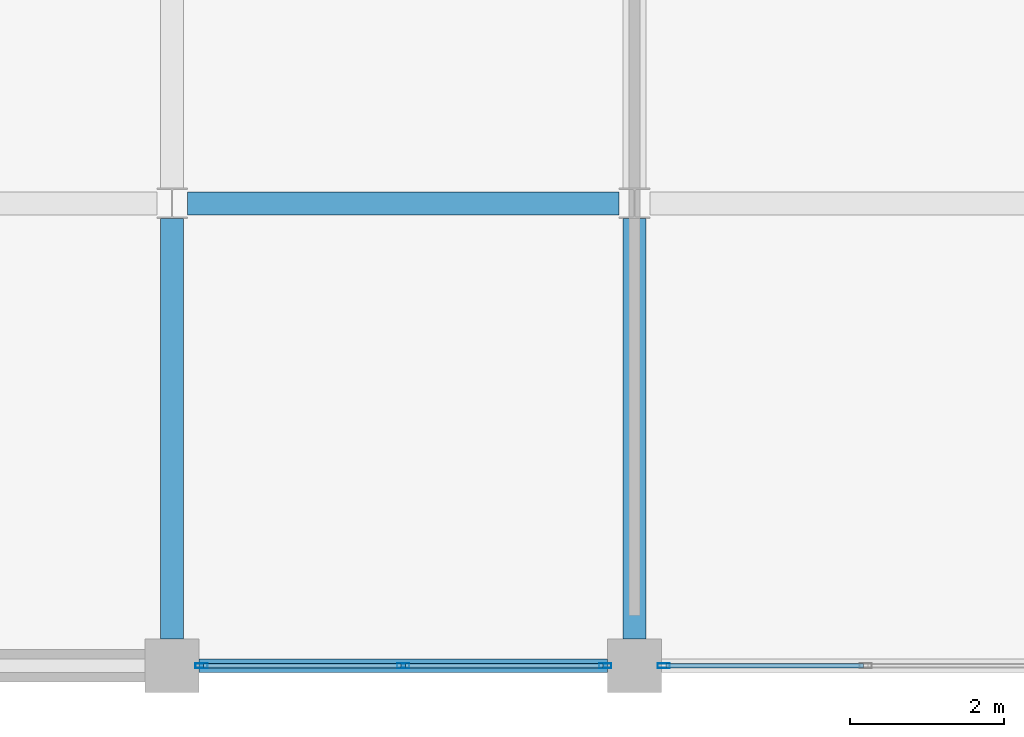
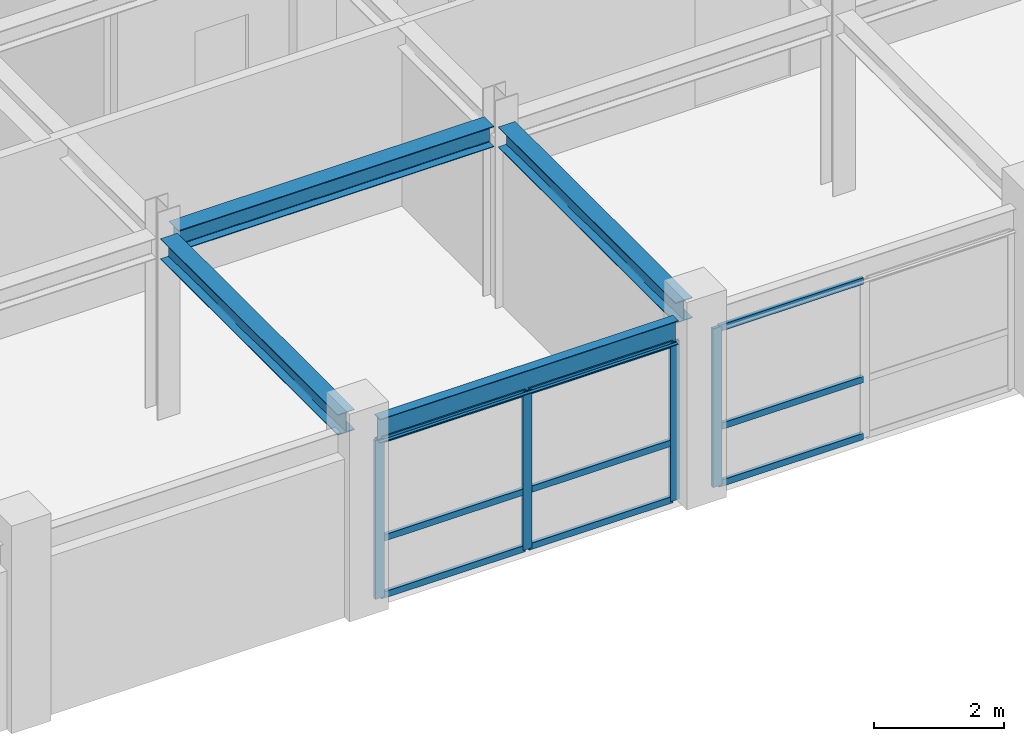
# One storey, part 4 of 12: 13 members, 4 beams, 2 elements without a shape of their own.
"""IFC4 building model written with IfcOpenShell, lengths in metres."""

from ifc_helpers import new_model, si_unit, direction, frame, origin, origin_2d, place, context, subcontext, project, spatial, hollow_rectangle, i_section, extrude, material, layer, layer_set, material_profile, profile_set, type_object, element, aggregate, save


model = new_model("IFC4")

# Units and contexts
model_context = context("Model", 3, precision=1e-05, world=origin(), true_north=direction((0.0, 1.0)))
body_context = subcontext(model_context, "Body", "Model", "MODEL_VIEW")
ifc_project = project(units=[si_unit("LENGTHUNIT", "METRE"), si_unit("AREAUNIT", "SQUARE_METRE"), si_unit("VOLUMEUNIT", "CUBIC_METRE"), si_unit("PLANEANGLEUNIT", "RADIAN"), si_unit("MASSUNIT", "GRAM", prefix="KILO")], contexts=[model_context])

# Site, building, storey
site_placement = place(None, origin())
site = spatial("IfcSite", under=ifc_project, at=site_placement, CompositionType="ELEMENT")
building_placement = place(site_placement, origin())
building = spatial("IfcBuilding", under=site, at=building_placement, Name="Zlatovratsky Civic Hall", CompositionType="ELEMENT")
storey_placement = place(building_placement, frame((0.0, 0.0, 32.699951171875)))
storey = spatial("IfcBuildingStorey", under=building, at=storey_placement, Name="L08", CompositionType="ELEMENT", Elevation=32.699951171875)

# Beams
ifc_material_1 = material(Name="Steel S355", Category="steel")
ifc_material_profile_1 = material_profile(ifc_material_1, i_section(OverallWidth=0.169921875, OverallDepth=0.446044921875, WebThickness=0.007568359375, FlangeThickness=0.010986328125, FilletRadius=0.01611328125, at=origin_2d()), Name="45B1")
ifc_profile_set_1 = profile_set([ifc_material_profile_1], Name="Steel S355")
beam_type_1 = type_object("IfcBeamType", Name="Beam_Spandrel_45B1", PredefinedType="SPANDREL", material=ifc_profile_set_1)
beam_1_placement = place(storey_placement, frame((78.35009765625, 72.0, 3.177001953125), z_axis=(1.0, 0.0, 0.0), x_axis=(0.0, 1.0, 0.0)))
element("IfcBeam", 1, at=beam_1_placement, inside=storey, type_object=beam_type_1, Name="BM-4385", PredefinedType="SPANDREL", context=body_context, shape_type="SweptSolid", body=[
    extrude(i_section(OverallWidth=0.169921875, OverallDepth=0.446044921875, WebThickness=0.007568359375, FlangeThickness=0.010986328125, FilletRadius=0.01611328125, at=origin_2d()), origin(), (0.0, 0.0, 1.0), 5.2998046875),
])
ifc_material_profile_2 = material_profile(ifc_material_1, i_section(OverallWidth=0.300048828125, OverallDepth=0.387939453125, WebThickness=0.009521484375, FlangeThickness=0.013916015625, FilletRadius=0.02197265625, at=origin_2d()), Name="40Sh1")
ifc_profile_set_2 = profile_set([ifc_material_profile_2], Name="Steel S355")
beam_type_2 = type_object("IfcBeamType", Name="Beam_TowerMid_40Sh1", PredefinedType="BEAM", material=ifc_profile_set_2)
beam_2_placement = place(storey_placement, frame((78.198974609375, 78.0, 3.2060546875), z_axis=(1.0, 0.0, 0.0), x_axis=(0.0, 1.0, 0.0)))
element("IfcBeam", 2, at=beam_2_placement, inside=storey, type_object=beam_type_2, Name="BM-4395", PredefinedType="BEAM", context=body_context, shape_type="SweptSolid", body=[
    extrude(i_section(OverallWidth=0.300048828125, OverallDepth=0.387939453125, WebThickness=0.009521484375, FlangeThickness=0.013916015625, FilletRadius=0.02197265625, at=origin_2d()), origin(), (0.0, 0.0, 1.0), 5.60205078125),
])
for number, where, z_axis, x_axis, name in (
    (3, (78.0, 72.35009765625, 3.2060546875), (0.0, 1.0, 0.0), (-1.0, 0.0, 0.0), "BM-4473"),
    (4, (84.0, 72.35009765625, 3.2060546875), (0.0, 1.0, 0.0), (-1.0, 0.0, 0.0), "BM-4479"),
):
    element("IfcBeam", number, at=place(storey_placement, frame(where, z_axis=z_axis, x_axis=x_axis)), inside=storey, type_object=beam_type_2, Name=name, PredefinedType="BEAM", context=body_context, shape_type="SweptSolid", body=[
        extrude(i_section(OverallWidth=0.300048828125, OverallDepth=0.387939453125, WebThickness=0.009521484375, FlangeThickness=0.013916015625, FilletRadius=0.02197265625, at=origin_2d()), origin(), (0.0, 0.0, 1.0), 5.452880859375),
    ])

# Curtain wall, members
ifc_material_2 = material(Name="Anodised bronze aluminium", Category="aluminium")
ifc_layer = layer(ifc_material_2, 0.159912109375)
ifc_layer_set = layer_set([ifc_layer], Name="Anodised bronze aluminium")
curtain_wall_type = type_object("IfcCurtainWallType", Name="CurtainWall_Bronze_5300x2980_22", PredefinedType="NOTDEFINED", material=ifc_layer_set)
curtain_wall_1_placement = place(storey_placement, origin())
curtain_wall_1 = element("IfcCurtainWall", 5, at=curtain_wall_1_placement, inside=storey, type_object=curtain_wall_type, Name="CW-141", PredefinedType="NOTDEFINED")
ifc_material_profile_3 = material_profile(ifc_material_2, hollow_rectangle(XDim=0.06005859375, YDim=0.159912109375, WallThickness=0.00390625, at=origin_2d()), Name="ALU 60x160x4")
ifc_profile_set_3 = profile_set([ifc_material_profile_3], Name="Anodised bronze aluminium")
member_type_1 = type_object("IfcMemberType", Name="CW_Mullion_60x160", PredefinedType="MULLION", material=ifc_profile_set_3)
member_1_placement = place(storey_placement, frame((78.3798828125, 72.0, 0.0), z_axis=(0.0, 0.0, 1.0), x_axis=(0.0, 1.0, 0.0)))
member_1 = element("IfcMember", 6, at=member_1_placement, type_object=member_type_1, Name="CW-22 mullion 1", PredefinedType="MULLION", context=body_context, shape_type="SweptSolid", body=[
    extrude(hollow_rectangle(XDim=0.06005859375, YDim=0.159912109375, WallThickness=0.00390625, at=origin_2d()), origin(), (0.0, 0.0, 1.0), 2.97998046875),
])
member_2_placement = place(storey_placement, frame((81.0, 72.0, 0.0), z_axis=(0.0, 0.0, 1.0), x_axis=(0.0, 1.0, 0.0)))
member_2 = element("IfcMember", 7, at=member_2_placement, type_object=member_type_1, Name="CW-22 mullion 2", PredefinedType="MULLION", context=body_context, shape_type="SweptSolid", body=[
    extrude(hollow_rectangle(XDim=0.06005859375, YDim=0.159912109375, WallThickness=0.00390625, at=origin_2d()), origin(), (0.0, 0.0, 1.0), 2.97998046875),
])
member_3_placement = place(storey_placement, frame((83.6201171875, 72.0, 0.0), z_axis=(0.0, 0.0, 1.0), x_axis=(0.0, 1.0, 0.0)))
member_3 = element("IfcMember", 8, at=member_3_placement, type_object=member_type_1, Name="CW-22 mullion 3", PredefinedType="MULLION", context=body_context, shape_type="SweptSolid", body=[
    extrude(hollow_rectangle(XDim=0.06005859375, YDim=0.159912109375, WallThickness=0.00390625, at=origin_2d()), origin(), (0.0, 0.0, 1.0), 2.97998046875),
])

# Curtain wall, member
curtain_wall_2_placement = place(storey_placement, origin())
curtain_wall_2 = element("IfcCurtainWall", 9, at=curtain_wall_2_placement, inside=storey, type_object=curtain_wall_type, Name="CW-142", PredefinedType="NOTDEFINED")
member_4_placement = place(storey_placement, frame((84.3798828125, 72.0, 0.0), z_axis=(0.0, 0.0, 1.0), x_axis=(0.0, 1.0, 0.0)))
member_4 = element("IfcMember", 10, at=member_4_placement, type_object=member_type_1, Name="CW-22 mullion 1", PredefinedType="MULLION", context=body_context, shape_type="SweptSolid", body=[
    extrude(hollow_rectangle(XDim=0.06005859375, YDim=0.159912109375, WallThickness=0.00390625, at=origin_2d()), origin(), (0.0, 0.0, 1.0), 2.97998046875),
])

# Member
ifc_material_profile_4 = material_profile(ifc_material_2, hollow_rectangle(XDim=0.06005859375, YDim=0.1201171875, WallThickness=0.00390625, at=origin_2d()), Name="ALU 60x120x4")
ifc_profile_set_4 = profile_set([ifc_material_profile_4], Name="Anodised bronze aluminium")
member_type_2 = type_object("IfcMemberType", Name="CW_Transom_60x120", PredefinedType="USERDEFINED", material=ifc_profile_set_4)
member_5_placement = place(storey_placement, frame((78.409912109375, 72.0, 0.030029296875), z_axis=(1.0, 0.0, 0.0), x_axis=(0.0, 1.0, 0.0)))
member_5 = element("IfcMember", 11, at=member_5_placement, type_object=member_type_2, Name="CW-22 transom 1.1", ObjectType="TRANSOM", PredefinedType="USERDEFINED", context=body_context, shape_type="SweptSolid", body=[
    extrude(hollow_rectangle(XDim=0.06005859375, YDim=0.1201171875, WallThickness=0.00390625, at=origin_2d()), origin(), (0.0, 0.0, 1.0), 2.56005859375),
])

member_6_placement = place(storey_placement, frame((78.409912109375, 72.0, 1.10009765625), z_axis=(1.0, 0.0, 0.0), x_axis=(0.0, 1.0, 0.0)))
member_6 = element("IfcMember", 12, at=member_6_placement, type_object=member_type_2, Name="CW-22 transom 1.2", ObjectType="TRANSOM", PredefinedType="USERDEFINED", context=body_context, shape_type="SweptSolid", body=[
    extrude(hollow_rectangle(XDim=0.06005859375, YDim=0.1201171875, WallThickness=0.00390625, at=origin_2d()), origin(), (0.0, 0.0, 1.0), 2.56005859375),
])

member_7_placement = place(storey_placement, frame((78.409912109375, 72.0, 2.949951171875), z_axis=(1.0, 0.0, 0.0), x_axis=(0.0, 1.0, 0.0)))
member_7 = element("IfcMember", 13, at=member_7_placement, type_object=member_type_2, Name="CW-22 transom 1.3", ObjectType="TRANSOM", PredefinedType="USERDEFINED", context=body_context, shape_type="SweptSolid", body=[
    extrude(hollow_rectangle(XDim=0.06005859375, YDim=0.1201171875, WallThickness=0.00390625, at=origin_2d()), origin(), (0.0, 0.0, 1.0), 2.56005859375),
])

member_8_placement = place(storey_placement, frame((81.030029296875, 72.0, 0.030029296875), z_axis=(1.0, 0.0, 0.0), x_axis=(0.0, 1.0, 0.0)))
member_8 = element("IfcMember", 14, at=member_8_placement, type_object=member_type_2, Name="CW-22 transom 2.1", ObjectType="TRANSOM", PredefinedType="USERDEFINED", context=body_context, shape_type="SweptSolid", body=[
    extrude(hollow_rectangle(XDim=0.06005859375, YDim=0.1201171875, WallThickness=0.00390625, at=origin_2d()), origin(), (0.0, 0.0, 1.0), 2.56005859375),
])

member_9_placement = place(storey_placement, frame((81.030029296875, 72.0, 1.10009765625), z_axis=(1.0, 0.0, 0.0), x_axis=(0.0, 1.0, 0.0)))
member_9 = element("IfcMember", 15, at=member_9_placement, type_object=member_type_2, Name="CW-22 transom 2.2", ObjectType="TRANSOM", PredefinedType="USERDEFINED", context=body_context, shape_type="SweptSolid", body=[
    extrude(hollow_rectangle(XDim=0.06005859375, YDim=0.1201171875, WallThickness=0.00390625, at=origin_2d()), origin(), (0.0, 0.0, 1.0), 2.56005859375),
])

member_10_placement = place(storey_placement, frame((81.030029296875, 72.0, 2.949951171875), z_axis=(1.0, 0.0, 0.0), x_axis=(0.0, 1.0, 0.0)))
member_10 = element("IfcMember", 16, at=member_10_placement, type_object=member_type_2, Name="CW-22 transom 2.3", ObjectType="TRANSOM", PredefinedType="USERDEFINED", context=body_context, shape_type="SweptSolid", body=[
    extrude(hollow_rectangle(XDim=0.06005859375, YDim=0.1201171875, WallThickness=0.00390625, at=origin_2d()), origin(), (0.0, 0.0, 1.0), 2.56005859375),
])

aggregate(curtain_wall_1, [member_1, member_2, member_3, member_5, member_6, member_7, member_8, member_9, member_10])

member_11_placement = place(storey_placement, frame((84.409912109375, 72.0, 0.030029296875), z_axis=(1.0, 0.0, 0.0), x_axis=(0.0, 1.0, 0.0)))
member_11 = element("IfcMember", 17, at=member_11_placement, type_object=member_type_2, Name="CW-22 transom 1.1", ObjectType="TRANSOM", PredefinedType="USERDEFINED", context=body_context, shape_type="SweptSolid", body=[
    extrude(hollow_rectangle(XDim=0.06005859375, YDim=0.1201171875, WallThickness=0.00390625, at=origin_2d()), origin(), (0.0, 0.0, 1.0), 2.56005859375),
])

member_12_placement = place(storey_placement, frame((84.409912109375, 72.0, 1.10009765625), z_axis=(1.0, 0.0, 0.0), x_axis=(0.0, 1.0, 0.0)))
member_12 = element("IfcMember", 18, at=member_12_placement, type_object=member_type_2, Name="CW-22 transom 1.2", ObjectType="TRANSOM", PredefinedType="USERDEFINED", context=body_context, shape_type="SweptSolid", body=[
    extrude(hollow_rectangle(XDim=0.06005859375, YDim=0.1201171875, WallThickness=0.00390625, at=origin_2d()), origin(), (0.0, 0.0, 1.0), 2.56005859375),
])

member_13_placement = place(storey_placement, frame((84.409912109375, 72.0, 2.949951171875), z_axis=(1.0, 0.0, 0.0), x_axis=(0.0, 1.0, 0.0)))
member_13 = element("IfcMember", 19, at=member_13_placement, type_object=member_type_2, Name="CW-22 transom 1.3", ObjectType="TRANSOM", PredefinedType="USERDEFINED", context=body_context, shape_type="SweptSolid", body=[
    extrude(hollow_rectangle(XDim=0.06005859375, YDim=0.1201171875, WallThickness=0.00390625, at=origin_2d()), origin(), (0.0, 0.0, 1.0), 2.56005859375),
])

aggregate(curtain_wall_2, [member_4, member_11, member_12, member_13])

save(model, "model.ifc")
